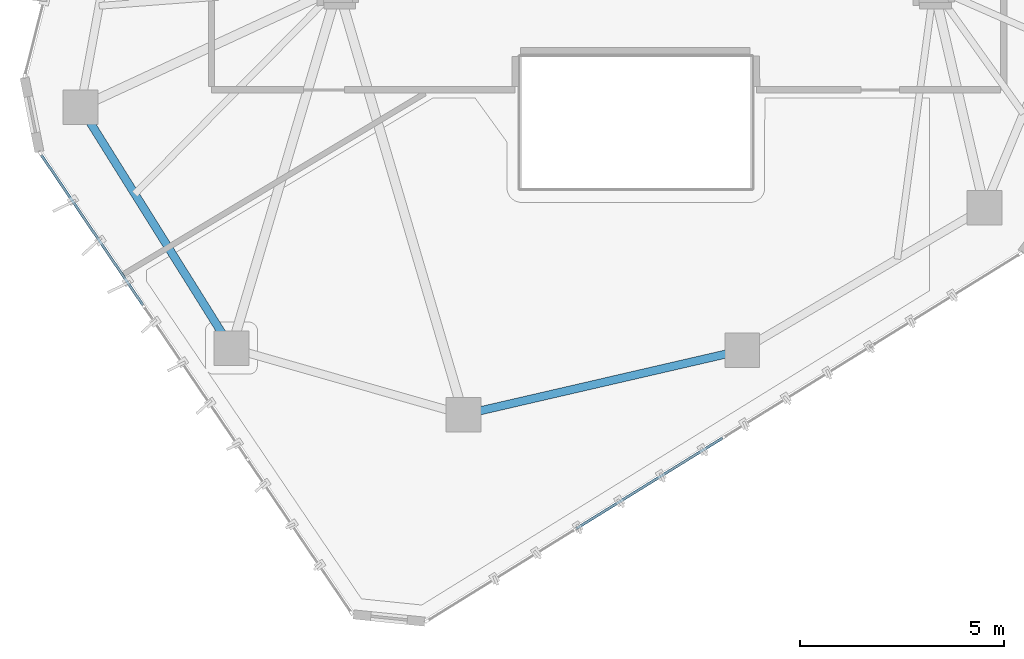
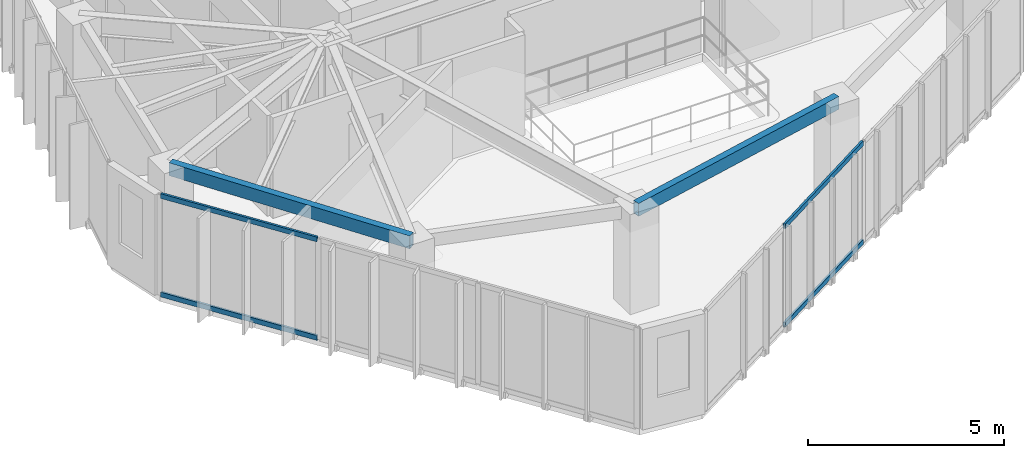
# One storey, part 3 of 20: 4 members, 2 beams, 2 elements without a shape of their own.
"""IFC4 building model written with IfcOpenShell, lengths in metres."""

from ifc_helpers import new_model, si_unit, direction, frame, origin, origin_2d, place, context, subcontext, project, spatial, hollow_rectangle, extrude, source, transform, mapped, material, layer, layer_set, material_profile, profile_set, type_object, type_shapes, element, aggregate, save


model = new_model("IFC4")

# Units and contexts
model_context = context("Model", 3, precision=1e-05, world=origin(), true_north=direction((0.0, 1.0)))
body_context = subcontext(model_context, "Body", "Model", "MODEL_VIEW")
ifc_project = project(units=[si_unit("LENGTHUNIT", "METRE"), si_unit("AREAUNIT", "SQUARE_METRE"), si_unit("VOLUMEUNIT", "CUBIC_METRE"), si_unit("PLANEANGLEUNIT", "RADIAN"), si_unit("MASSUNIT", "GRAM", prefix="KILO")], contexts=[model_context])

# Site, building, storey
site_placement = place(None, origin())
site = spatial("IfcSite", under=ifc_project, at=site_placement, CompositionType="ELEMENT")
building_placement = place(site_placement, origin())
building = spatial("IfcBuilding", under=site, at=building_placement, Name="Talar Marvaseh", CompositionType="ELEMENT")
storey_placement = place(building_placement, frame((0.0, 0.0, 251.0)))
storey = spatial("IfcBuildingStorey", under=building, at=storey_placement, Name="L66", CompositionType="ELEMENT", Elevation=251.0)

# Beams
ifc_material_1 = material(Name="Steel S355", Category="steel")
ifc_material_profile_1 = material_profile(ifc_material_1, hollow_rectangle(XDim=0.199951171875, YDim=0.39990234375, WallThickness=0.013916015625, at=origin_2d()), Name="RHS400x200x14")
ifc_profile_set_1 = profile_set([ifc_material_profile_1], Name="Steel S355")
beam_type = type_object("IfcBeamType", Name="Zone 3 Perimeter Spandrel Beam RHS400x200x14", PredefinedType="SPANDREL", material=ifc_profile_set_1)
beam_1_placement = place(storey_placement, frame((28.60498046875, 16.616943359375, 2.93994140625), z_axis=(-0.974361245946, -0.22498924952, 0.0), x_axis=(0.22498924952, -0.974361245946, 0.0)))
element("IfcBeam", 1, at=beam_1_placement, inside=storey, type_object=beam_type, Name="L66 Zone 3 Perimeter Spandrel Beam RHS400x200x14", PredefinedType="SPANDREL", context=body_context, shape_type="SweptSolid", body=[
    extrude(hollow_rectangle(XDim=0.199951171875, YDim=0.39990234375, WallThickness=0.013916015625, at=origin_2d()), origin(), (0.0, 0.0, 1.0), 7.0087890625),
])
beam_2_placement = place(storey_placement, frame((16.0869140625, 16.66796875, 2.93994140625), z_axis=(-0.530505706813, 0.847681364098, 0.0), x_axis=(-0.847681364098, -0.530505706813, 0.0)))
element("IfcBeam", 2, at=beam_2_placement, inside=storey, type_object=beam_type, Name="L66 Zone 3 Perimeter Spandrel Beam RHS400x200x14", PredefinedType="SPANDREL", context=body_context, shape_type="SweptSolid", body=[
    extrude(hollow_rectangle(XDim=0.199951171875, YDim=0.39990234375, WallThickness=0.013916015625, at=origin_2d()), origin(), (0.0, 0.0, 1.0), 6.970703125),
])

# Curtain wall, members
ifc_material_2 = material(Name="Architectural Aluminium", Category="aluminium")
ifc_layer = layer(ifc_material_2, 0.179931640625)
ifc_layer_set = layer_set([ifc_layer], Name="Architectural Aluminium")
curtain_wall_type = type_object("IfcCurtainWallType", Name="Unitised High-Wind Sky Curtain Wall Z4", PredefinedType="NOTDEFINED", material=ifc_layer_set)
curtain_wall_1_placement = place(storey_placement, origin())
curtain_wall_1 = element("IfcCurtainWall", 3, at=curtain_wall_1_placement, inside=storey, type_object=curtain_wall_type, Name="L66 Unitised High-Wind Sky Curtain Wall Z4", PredefinedType="NOTDEFINED")
ifc_material_profile_2 = material_profile(ifc_material_2, hollow_rectangle(XDim=0.06494140625, YDim=0.14990234375, WallThickness=0.00390625, at=origin_2d()), Name="RHS150x65x4")
ifc_profile_set_2 = profile_set([ifc_material_profile_2], Name="Architectural Aluminium")
member_type = type_object("IfcMemberType", Name="Unitised Curtain Wall Slim Transom RHS150x65x4", PredefinedType="USERDEFINED", material=ifc_profile_set_2)
shared_shape_1 = source(origin(), body_context, "Body", "SweptSolid", [
    extrude(hollow_rectangle(XDim=0.06494140625, YDim=0.14990234375, WallThickness=0.00390625, at=origin_2d()), origin(), (0.0, 0.0, 1.0), 4.447509765625),
])
member_1_placement = place(storey_placement, frame((13.920654296875, 17.722900390625, 0.032470703125), z_axis=(-0.560589577971, 0.828093790021, 0.0), x_axis=(-0.828093790021, -0.560589577971, 0.0)))
member_1 = element("IfcMember", 4, at=member_1_placement, type_object=member_type, Name="CW-Z4 transom 3.1", ObjectType="TRANSOM", PredefinedType="USERDEFINED", context=body_context, shape_type="MappedRepresentation", body=[
    mapped(shared_shape_1, transform((0.0, 0.0, 0.0), x_axis=(1.0, 0.0, 0.0), y_axis=(0.0, 1.0, 0.0), z_axis=(0.0, 0.0, 1.0), scale=1.0)),
])
member_2_placement = place(storey_placement, frame((13.920654296875, 17.722900390625, 3.107421875), z_axis=(-0.560589577971, 0.828093790021, 0.0), x_axis=(-0.828093790021, -0.560589577971, 0.0)))
member_2 = element("IfcMember", 5, at=member_2_placement, type_object=member_type, Name="CW-Z4 transom 3.2", ObjectType="TRANSOM", PredefinedType="USERDEFINED", context=body_context, shape_type="MappedRepresentation", body=[
    mapped(shared_shape_1, transform((0.0, 0.0, 0.0), x_axis=(1.0, 0.0, 0.0), y_axis=(0.0, 1.0, 0.0), z_axis=(0.0, 0.0, 1.0), scale=1.0)),
])
aggregate(curtain_wall_1, [member_1, member_2])

curtain_wall_2_placement = place(storey_placement, origin())
curtain_wall_2 = element("IfcCurtainWall", 6, at=curtain_wall_2_placement, inside=storey, type_object=curtain_wall_type, Name="L66 Unitised High-Wind Sky Curtain Wall Z4", PredefinedType="NOTDEFINED")
shared_shape_2 = source(origin(), body_context, "Body", "SweptSolid", [
    extrude(hollow_rectangle(XDim=0.06494140625, YDim=0.14990234375, WallThickness=0.00390625, at=origin_2d()), origin(), (0.0, 0.0, 1.0), 4.221435546875),
])
type_shapes(member_type, [shared_shape_1, shared_shape_2])
member_3_placement = place(storey_placement, frame((28.1259765625, 14.468017578125, 0.032470703125), z_axis=(-0.850271309239, -0.526344659596, 0.0), x_axis=(0.526344659596, -0.850271309239, 0.0)))
member_3 = element("IfcMember", 7, at=member_3_placement, type_object=member_type, Name="CW-Z4 transom 3.1", ObjectType="TRANSOM", PredefinedType="USERDEFINED", context=body_context, shape_type="MappedRepresentation", body=[
    mapped(shared_shape_2, transform((0.0, 0.0, 0.0), x_axis=(1.0, 0.0, 0.0), y_axis=(0.0, 1.0, 0.0), z_axis=(0.0, 0.0, 1.0), scale=1.0)),
])
member_4_placement = place(storey_placement, frame((28.1259765625, 14.468017578125, 3.107421875), z_axis=(-0.850271309239, -0.526344659596, 0.0), x_axis=(0.526344659596, -0.850271309239, 0.0)))
member_4 = element("IfcMember", 8, at=member_4_placement, type_object=member_type, Name="CW-Z4 transom 3.2", ObjectType="TRANSOM", PredefinedType="USERDEFINED", context=body_context, shape_type="MappedRepresentation", body=[
    mapped(shared_shape_2, transform((0.0, 0.0, 0.0), x_axis=(1.0, 0.0, 0.0), y_axis=(0.0, 1.0, 0.0), z_axis=(0.0, 0.0, 1.0), scale=1.0)),
])
aggregate(curtain_wall_2, [member_3, member_4])

save(model, "model.ifc")
